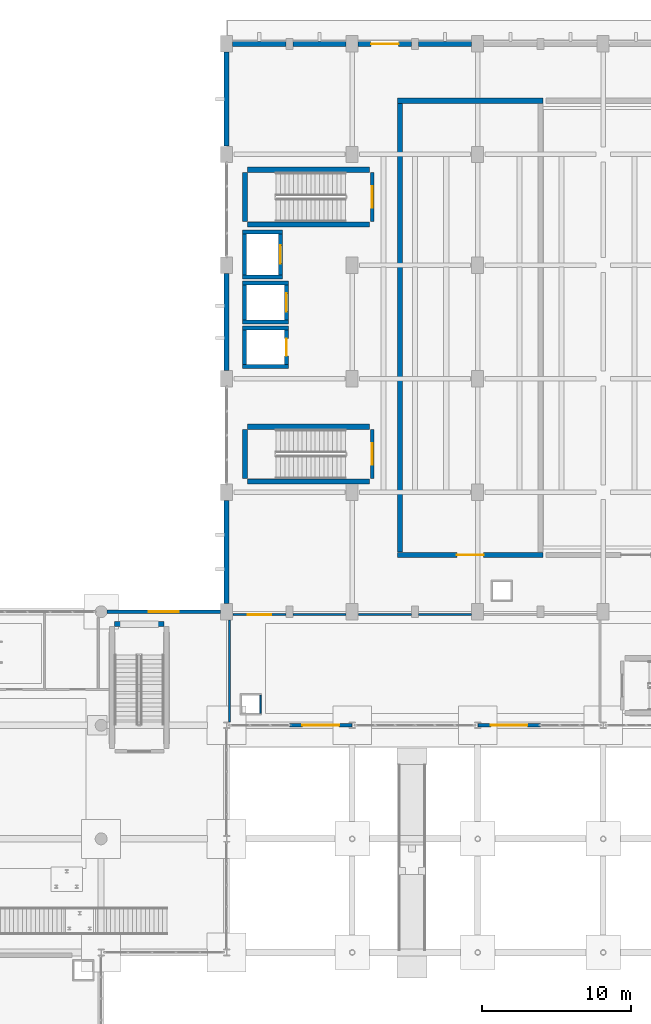
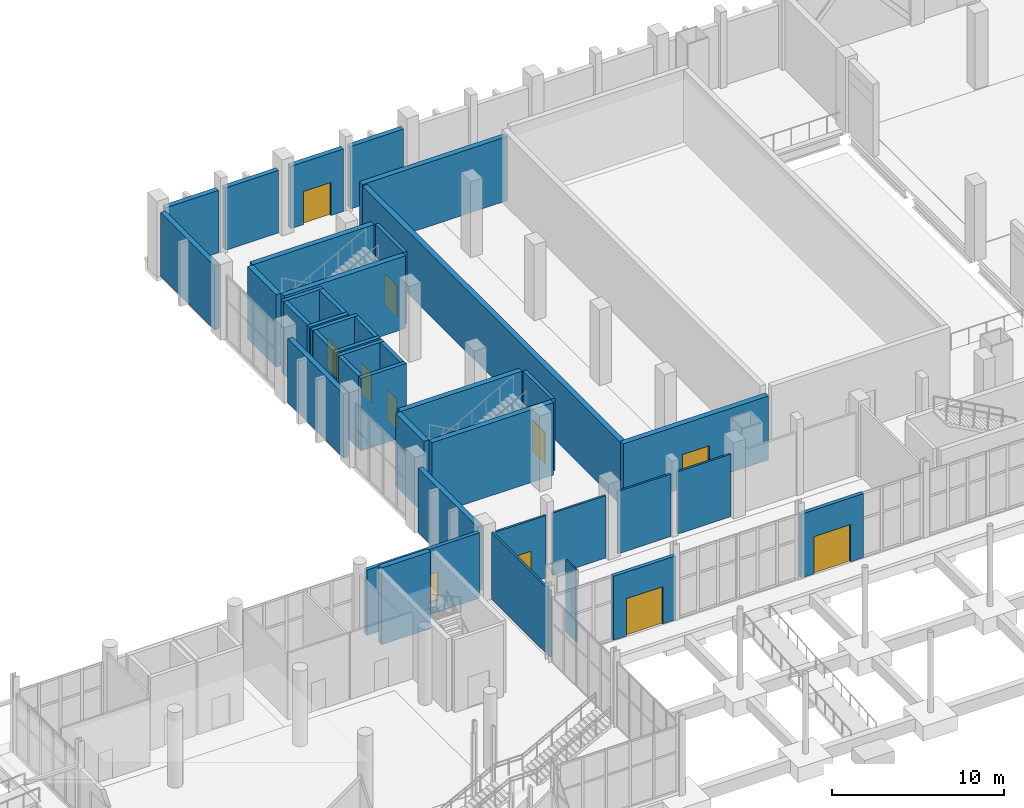
# One storey, part 75 of 95: 40 walls, 10 doors, 1 window, 11 openings.
"""IFC4 building model written with IfcOpenShell, lengths in metres."""

from ifc_helpers import new_model, si_unit, direction, frame, frame_2d, origin, place, context, subcontext, project, spatial, rectangle, extrude, material, layer, layer_set, type_object, element, fill, save


model = new_model("IFC4")

# Units and contexts
model_context = context("Model", 3, precision=1e-05, world=origin(), true_north=direction((0.0, 1.0)))
body_context = subcontext(model_context, "Body", "Model", "MODEL_VIEW")
ifc_project = project(units=[si_unit("LENGTHUNIT", "METRE"), si_unit("AREAUNIT", "SQUARE_METRE"), si_unit("VOLUMEUNIT", "CUBIC_METRE"), si_unit("PLANEANGLEUNIT", "RADIAN"), si_unit("MASSUNIT", "GRAM", prefix="KILO")], contexts=[model_context])

# Site, building, storey
site_placement = place(None, origin())
site = spatial("IfcSite", under=ifc_project, at=site_placement, CompositionType="ELEMENT")
building_placement = place(site_placement, origin())
building = spatial("IfcBuilding", under=site, at=building_placement, Name="Shengluoqiao Park Theatre", CompositionType="ELEMENT")
storey_placement = place(building_placement, origin())
storey = spatial("IfcBuildingStorey", under=building, at=storey_placement, Name="L00", CompositionType="ELEMENT", Elevation=0.0)

# Walls
ifc_material_1 = material(Name="Concrete C45", Category="concrete")
ifc_layer_1 = layer(ifc_material_1, 0.330078125, Name="Concrete C45")
ifc_layer_set_1 = layer_set([ifc_layer_1], Name="Concrete C45")
wall_type_1 = type_object("IfcWallType", Name="ENV-WL-CONC330", PredefinedType="STANDARD", material=ifc_layer_set_1)
wall_1_placement = place(storey_placement, frame((44.803955078125, 114.0, 0.0), z_axis=(0.0, 0.0, 1.0), x_axis=(1.0, 0.0, 0.0)))
element("IfcWall", 1, at=wall_1_placement, inside=storey, type_object=wall_type_1, Name="L00 Exterior Wall 0001", PredefinedType="STANDARD", context=body_context, shape_type="SweptSolid", body=[
    extrude(rectangle(XDim=3.567138671875, YDim=0.330078125, at=frame_2d((1.78369140625, 0.0))), origin(), (0.0, 0.0, 1.0), 4.43798828125),
])
wall_2_placement = place(storey_placement, frame((48.8291015625, 114.0, 0.0), z_axis=(0.0, 0.0, 1.0), x_axis=(1.0, 0.0, 0.0)))
element("IfcWall", 2, at=wall_2_placement, inside=storey, type_object=wall_type_1, Name="L00 Exterior Wall 0002", PredefinedType="STANDARD", context=body_context, shape_type="SweptSolid", body=[
    extrude(rectangle(XDim=3.56689453125, YDim=0.330078125, at=frame_2d((1.783447265625, 0.0))), origin(), (0.0, 0.0, 1.0), 4.43798828125),
])

# Wall, opening, door
wall_3_placement = place(storey_placement, frame((53.2041015625, 114.0, 0.0), z_axis=(0.0, 0.0, 1.0), x_axis=(1.0, 0.0, 0.0)))
wall_3 = element("IfcWall", 3, at=wall_3_placement, inside=storey, type_object=wall_type_1, Name="L00 Exterior Wall 0003", PredefinedType="STANDARD", context=body_context, shape_type="SweptSolid", body=[
    extrude(rectangle(XDim=3.56689453125, YDim=0.330078125, at=frame_2d((1.783447265625, 0.0))), origin(), (0.0, 0.0, 1.0), 4.43798828125),
])
opening_1_placement = place(wall_3_placement, frame((0.8583984375, 0.0, 0.0)))
opening_1 = element("IfcOpeningElement", 4, at=opening_1_placement, cuts=wall_3, Name="Opening ED-AUD-001", PredefinedType="OPENING", context=body_context, shape_type="SweptSolid", body=[
    extrude(rectangle(XDim=1.85009765625, YDim=2.35009765625, at=frame_2d((0.925048828125, 1.175048828125))), frame((0.0, 0.175048828125, 0.0), z_axis=(0.0, -1.0, 0.0), x_axis=(1.0, 0.0, 0.0)), (0.0, 0.0, 1.0), 0.35009765625),
])
ifc_material_2 = material(Name="Aluminium 6063-T6", Category="aluminium")
door_type_1 = type_object("IfcDoorType", Name="ENV-DR-EX185", OperationType="DOUBLE_DOOR_SINGLE_SWING", PredefinedType="DOOR", material=ifc_material_2)
door_1_placement = place(opening_1_placement, origin())
door_1 = element("IfcDoor", 5, at=door_1_placement, inside=storey, type_object=door_type_1, Name="Auditorium North Escape Exit Door ED-AUD-001", OperationType="DOUBLE_DOOR_SINGLE_SWING", OverallHeight=2.35009765625, OverallWidth=1.85009765625, PredefinedType="DOOR", context=body_context, shape_type="SweptSolid", body=[
    extrude(rectangle(XDim=1.85009765625, YDim=2.35009765625, at=frame_2d((0.925048828125, 1.175048828125))), frame((0.0, 0.02490234375, 0.0), z_axis=(0.0, -1.0, 0.0), x_axis=(1.0, 0.0, 0.0)), (0.0, 0.0, 1.0), 0.050048828125),
])
fill(opening_1, door_1)

# Walls
wall_4_placement = place(storey_placement, frame((57.22900390625, 114.0, 0.0), z_axis=(0.0, 0.0, 1.0), x_axis=(1.0, 0.0, 0.0)))
element("IfcWall", 6, at=wall_4_placement, inside=storey, type_object=wall_type_1, Name="L00 Exterior Wall 0004", PredefinedType="STANDARD", context=body_context, shape_type="SweptSolid", body=[
    extrude(rectangle(XDim=3.56689453125, YDim=0.330078125, at=frame_2d((1.783447265625, 0.0))), origin(), (0.0, 0.0, 1.0), 4.43798828125),
])
wall_5_placement = place(storey_placement, frame((44.39990234375, 76.553955078125, 0.0), z_axis=(0.0, 0.0, 1.0), x_axis=(0.0, 1.0, 0.0)))
element("IfcWall", 7, at=wall_5_placement, inside=storey, type_object=wall_type_1, Name="L00 Exterior Wall 0011", PredefinedType="STANDARD", context=body_context, shape_type="SweptSolid", body=[
    extrude(rectangle(XDim=6.89208984375, YDim=0.330078125, at=frame_2d((3.446044921875, 0.0))), origin(), (0.0, 0.0, 1.0), 4.550048828125),
])
wall_6_placement = place(storey_placement, frame((44.39990234375, 92.154052734375, 0.0), z_axis=(0.0, 0.0, 1.0), x_axis=(0.0, 1.0, 0.0)))
element("IfcWall", 8, at=wall_6_placement, inside=storey, type_object=wall_type_1, Name="L00 Exterior Wall 0012", PredefinedType="STANDARD", context=body_context, shape_type="SweptSolid", body=[
    extrude(rectangle(XDim=6.491943359375, YDim=0.330078125, at=frame_2d((3.24609375, 0.0))), origin(), (0.0, 0.0, 1.0), 4.550048828125),
])
wall_7_placement = place(storey_placement, frame((44.39990234375, 107.154052734375, 0.0), z_axis=(0.0, 0.0, 1.0), x_axis=(0.0, 1.0, 0.0)))
element("IfcWall", 9, at=wall_7_placement, inside=storey, type_object=wall_type_1, Name="L00 Exterior Wall 0013", PredefinedType="STANDARD", context=body_context, shape_type="SweptSolid", body=[
    extrude(rectangle(XDim=6.2919921875, YDim=0.330078125, at=frame_2d((3.14599609375, 0.0))), origin(), (0.0, 0.0, 1.0), 4.550048828125),
])

# Wall, opening, window
ifc_material_3 = material(Name="Precast concrete C45", Category="concrete")
ifc_layer_2 = layer(ifc_material_3, 0.25, Name="Precast concrete C45")
ifc_layer_set_2 = layer_set([ifc_layer_2], Name="Precast concrete C45")
wall_type_2 = type_object("IfcWallType", Name="ENV-WL-CRYS250", PredefinedType="STANDARD", material=ifc_layer_set_2)
wall_8_placement = place(storey_placement, frame((36.404052734375, 76.0, 0.0), z_axis=(0.0, 0.0, 1.0), x_axis=(1.0, 0.0, 0.0)))
wall_8 = element("IfcWall", 10, at=wall_8_placement, inside=storey, type_object=wall_type_2, Name="L00 Exterior Wall 0109", PredefinedType="STANDARD", context=body_context, shape_type="SweptSolid", body=[
    extrude(rectangle(XDim=7.592041015625, YDim=0.25, at=frame_2d((3.7958984375, 0.0))), origin(), (0.0, 0.0, 1.0), 4.64990234375),
])
opening_2_placement = place(wall_8_placement, frame((2.7958984375, 0.0, 0.85009765625)))
opening_2 = element("IfcOpeningElement", 11, at=opening_2_placement, cuts=wall_8, Name="Opening W-15", PredefinedType="OPENING", context=body_context, shape_type="SweptSolid", body=[
    extrude(rectangle(XDim=2.0, YDim=2.0, at=frame_2d((1.0, 1.0))), frame((0.0, 0.135009765625, 0.0), z_axis=(0.0, -1.0, 0.0), x_axis=(1.0, 0.0, 0.0)), (0.0, 0.0, 1.0), 0.27001953125),
])
ifc_material_4 = material(Name="Insulated glass", Category="glass")
window_type = type_object("IfcWindowType", Name="ENV-WIN-W15", PartitioningType="DOUBLE_PANEL_VERTICAL", PredefinedType="WINDOW", material=ifc_material_4)
window_placement = place(opening_2_placement, origin())
window = element("IfcWindow", 12, at=window_placement, inside=storey, type_object=window_type, Name="L00 Acoustic Window 0008", OverallHeight=2.0, OverallWidth=2.0, PartitioningType="DOUBLE_PANEL_VERTICAL", PredefinedType="WINDOW", context=body_context, shape_type="SweptSolid", body=[
    extrude(rectangle(XDim=2.0, YDim=2.0, at=frame_2d((1.0, 1.0))), frame((0.0, 0.030029296875, 0.0), z_axis=(0.0, -1.0, 0.0), x_axis=(1.0, 0.0, 0.0)), (0.0, 0.0, 1.0), 0.06005859375),
])
fill(opening_2, window)

# Wall, opening, door
wall_9_placement = place(storey_placement, frame((48.60009765625, 68.39990234375, 0.0), z_axis=(0.0, 0.0, 1.0), x_axis=(1.0, 0.0, 0.0)))
wall_9 = element("IfcWall", 13, at=wall_9_placement, inside=storey, type_object=wall_type_2, Name="L00 Exterior Wall 0110", PredefinedType="STANDARD", context=body_context, shape_type="SweptSolid", body=[
    extrude(rectangle(XDim=4.18798828125, YDim=0.25, at=frame_2d((2.093994140625, 0.0))), origin(), (0.0, 0.0, 1.0), 4.5419921875),
])
opening_3_placement = place(wall_9_placement, frame((0.868896484375, 0.0, 0.0)))
opening_3 = element("IfcOpeningElement", 14, at=opening_3_placement, cuts=wall_9, Name="Opening ED-PROM-009", PredefinedType="OPENING", context=body_context, shape_type="SweptSolid", body=[
    extrude(rectangle(XDim=2.449951171875, YDim=2.64990234375, at=frame_2d((1.22509765625, 1.324951171875))), frame((0.0, 0.135009765625, 0.0), z_axis=(0.0, -1.0, 0.0), x_axis=(1.0, 0.0, 0.0)), (0.0, 0.0, 1.0), 0.27001953125),
])
door_type_2 = type_object("IfcDoorType", Name="ENV-DR-EX245", OperationType="DOUBLE_DOOR_SINGLE_SWING", PredefinedType="DOOR", material=ifc_material_2)
door_2_placement = place(opening_3_placement, origin())
door_2 = element("IfcDoor", 15, at=door_2_placement, inside=storey, type_object=door_type_2, Name="South Park Promenade Entrance Door ED-PROM-009", OperationType="DOUBLE_DOOR_SINGLE_SWING", OverallHeight=2.64990234375, OverallWidth=2.449951171875, PredefinedType="DOOR", context=body_context, shape_type="SweptSolid", body=[
    extrude(rectangle(XDim=2.449951171875, YDim=2.64990234375, at=frame_2d((1.22509765625, 1.324951171875))), frame((0.0, 0.02490234375, 0.0), z_axis=(0.0, -1.0, 0.0), x_axis=(1.0, 0.0, 0.0)), (0.0, 0.0, 1.0), 0.050048828125),
])
fill(opening_3, door_2)

wall_10_placement = place(storey_placement, frame((61.2119140625, 68.39990234375, 0.0), z_axis=(0.0, 0.0, 1.0), x_axis=(1.0, 0.0, 0.0)))
wall_10 = element("IfcWall", 16, at=wall_10_placement, inside=storey, type_object=wall_type_2, Name="L00 Exterior Wall 0111", PredefinedType="STANDARD", context=body_context, shape_type="SweptSolid", body=[
    extrude(rectangle(XDim=4.18798828125, YDim=0.25, at=frame_2d((2.093994140625, 0.0))), origin(), (0.0, 0.0, 1.0), 4.5419921875),
])
opening_4_placement = place(wall_10_placement, frame((0.868896484375, 0.0, 0.0)))
opening_4 = element("IfcOpeningElement", 17, at=opening_4_placement, cuts=wall_10, Name="Opening ED-PROM-010", PredefinedType="OPENING", context=body_context, shape_type="SweptSolid", body=[
    extrude(rectangle(XDim=2.449951171875, YDim=2.64990234375, at=frame_2d((1.22509765625, 1.324951171875))), frame((0.0, 0.135009765625, 0.0), z_axis=(0.0, -1.0, 0.0), x_axis=(1.0, 0.0, 0.0)), (0.0, 0.0, 1.0), 0.27001953125),
])
door_3_placement = place(opening_4_placement, origin())
door_3 = element("IfcDoor", 18, at=door_3_placement, inside=storey, type_object=door_type_2, Name="South Park Promenade Entrance Door ED-PROM-010", OperationType="DOUBLE_DOOR_SINGLE_SWING", OverallHeight=2.64990234375, OverallWidth=2.449951171875, PredefinedType="DOOR", context=body_context, shape_type="SweptSolid", body=[
    extrude(rectangle(XDim=2.449951171875, YDim=2.64990234375, at=frame_2d((1.22509765625, 1.324951171875))), frame((0.0, 0.02490234375, 0.0), z_axis=(0.0, -1.0, 0.0), x_axis=(1.0, 0.0, 0.0)), (0.0, 0.0, 1.0), 0.050048828125),
])
fill(opening_4, door_3)

ifc_material_5 = material(Name="Gypsum acoustic stud", Category="gypsum")
ifc_layer_3 = layer(ifc_material_5, 0.360107421875, Name="Gypsum acoustic stud")
ifc_layer_set_3 = layer_set([ifc_layer_3], Name="Gypsum acoustic stud")
wall_type_3 = type_object("IfcWallType", Name="INT-WL-ACO360", PredefinedType="PARTITIONING", material=ifc_layer_set_3)
wall_11_placement = place(storey_placement, frame((55.820068359375, 79.800048828125, 0.0), z_axis=(0.0, 0.0, 1.0), x_axis=(1.0, 0.0, 0.0)))
wall_11 = element("IfcWall", 19, at=wall_11_placement, inside=storey, type_object=wall_type_3, Name="Main Theatre Rear Stalls Partition S", PredefinedType="PARTITIONING", context=body_context, shape_type="SweptSolid", body=[
    extrude(rectangle(XDim=9.760009765625, YDim=0.360107421875, at=frame_2d((4.8798828125, 0.0))), origin(), (0.0, 0.0, 1.0), 4.550048828125),
])
opening_5_placement = place(wall_11_placement, frame((3.97998046875, 0.0, 0.0)))
opening_5 = element("IfcOpeningElement", 20, at=opening_5_placement, cuts=wall_11, Name="Opening D-L00-019", PredefinedType="OPENING", context=body_context, shape_type="SweptSolid", body=[
    extrude(rectangle(XDim=1.800048828125, YDim=2.39990234375, at=frame_2d((0.89990234375, 1.199951171875))), frame((0.0, 0.18994140625, 0.0), z_axis=(0.0, -1.0, 0.0), x_axis=(1.0, 0.0, 0.0)), (0.0, 0.0, 1.0), 0.380126953125),
])
ifc_material_6 = material(Name="Acoustic timber", Category="wood")
door_type_3 = type_object("IfcDoorType", Name="INT-DR-AUD180", OperationType="DOUBLE_DOOR_SINGLE_SWING", PredefinedType="DOOR", material=ifc_material_6)
door_4_placement = place(opening_5_placement, origin())
door_4 = element("IfcDoor", 21, at=door_4_placement, inside=storey, type_object=door_type_3, Name="Main Theatre Rear Stalls Door D-L00-019", OperationType="DOUBLE_DOOR_SINGLE_SWING", OverallHeight=2.39990234375, OverallWidth=1.800048828125, PredefinedType="DOOR", context=body_context, shape_type="SweptSolid", body=[
    extrude(rectangle(XDim=1.800048828125, YDim=2.39990234375, at=frame_2d((0.89990234375, 1.199951171875))), frame((0.0, 0.02490234375, 0.0), z_axis=(0.0, -1.0, 0.0), x_axis=(1.0, 0.0, 0.0)), (0.0, 0.0, 1.0), 0.050048828125),
])
fill(opening_5, door_4)

# Walls
wall_12_placement = place(storey_placement, frame((55.820068359375, 110.199951171875, 0.0), z_axis=(0.0, 0.0, 1.0), x_axis=(1.0, 0.0, 0.0)))
element("IfcWall", 22, at=wall_12_placement, inside=storey, type_object=wall_type_3, Name="Main Theatre Rear Stalls Partition N", PredefinedType="PARTITIONING", context=body_context, shape_type="SweptSolid", body=[
    extrude(rectangle(XDim=9.760009765625, YDim=0.360107421875, at=frame_2d((4.8798828125, 0.0))), origin(), (0.0, 0.0, 1.0), 4.550048828125),
])
wall_13_placement = place(storey_placement, frame((56.0, 79.986083984375, 0.0), z_axis=(0.0, 0.0, 1.0), x_axis=(0.0, 1.0, 0.0)))
element("IfcWall", 23, at=wall_13_placement, inside=storey, type_object=wall_type_3, Name="Main Theatre Rear Stalls Partition W", PredefinedType="PARTITIONING", context=body_context, shape_type="SweptSolid", body=[
    extrude(rectangle(XDim=30.02783203125, YDim=0.360107421875, at=frame_2d((15.013916015625, 0.0))), origin(), (0.0, 0.0, 1.0), 4.43798828125),
])
ifc_material_7 = material(Name="Gypsum shaftwall", Category="gypsum")
ifc_layer_4 = layer(ifc_material_7, 0.094970703125, Name="Gypsum shaftwall")
ifc_layer_set_4 = layer_set([ifc_layer_4], Name="Gypsum shaftwall")
wall_type_4 = type_object("IfcWallType", Name="INT-WL-RSR095", PredefinedType="PARTITIONING", material=ifc_layer_set_4)
wall_14_placement = place(storey_placement, frame((46.669921875, 69.205078125, 0.0), z_axis=(0.0, 0.0, 1.0), x_axis=(0.0, 1.0, 0.0)))
element("IfcWall", 24, at=wall_14_placement, inside=storey, type_object=wall_type_4, Name="L00 Service Riser Shaftwall 048", PredefinedType="PARTITIONING", context=body_context, shape_type="SweptSolid", body=[
    extrude(rectangle(XDim=1.2099609375, YDim=0.094970703125, at=frame_2d((0.60498046875, 0.0))), origin(), (0.0, 0.0, 1.0), 5.159912109375),
])
ifc_material_8 = material(Name="Concrete C40", Category="concrete")
ifc_layer_5 = layer(ifc_material_8, 0.260009765625, Name="Concrete C40")
ifc_layer_set_5 = layer_set([ifc_layer_5], Name="Concrete C40")
wall_type_5 = type_object("IfcWallType", Name="INT-WL-SHF260", PredefinedType="STANDARD", material=ifc_layer_set_5)
for number, where, z_axis, x_axis, name in (
    (25, (45.469970703125, 92.39990234375, 0.0), (0.0, 0.0, 1.0), (1.0, 0.0, 0.0), "L00 PL3 Lift Shaft Wall South"),
    (26, (45.469970703125, 95.0, 0.0), (0.0, 0.0, 1.0), (1.0, 0.0, 0.0), "L00 PL3 Lift Shaft Wall North"),
):
    element("IfcWall", number, at=place(storey_placement, frame(where, z_axis=z_axis, x_axis=x_axis)), inside=storey, type_object=wall_type_5, Name=name, PredefinedType="STANDARD", context=body_context, shape_type="SweptSolid", body=[
        extrude(rectangle(XDim=3.06005859375, YDim=0.260009765625, at=frame_2d((1.530029296875, 0.0))), origin(), (0.0, 0.0, 1.0), 5.159912109375),
    ])
wall_15_placement = place(storey_placement, frame((45.60009765625, 92.535888671875, 0.0), z_axis=(0.0, 0.0, 1.0), x_axis=(0.0, 1.0, 0.0)))
element("IfcWall", 27, at=wall_15_placement, inside=storey, type_object=wall_type_5, Name="L00 PL3 Lift Shaft Wall West", PredefinedType="STANDARD", context=body_context, shape_type="SweptSolid", body=[
    extrude(rectangle(XDim=2.328125, YDim=0.260009765625, at=frame_2d((1.1640625, 0.0))), origin(), (0.0, 0.0, 1.0), 5.159912109375),
])

# Wall, opening, door
wall_16_placement = place(storey_placement, frame((48.39990234375, 92.535888671875, 0.0), z_axis=(0.0, 0.0, 1.0), x_axis=(0.0, 1.0, 0.0)))
wall_16 = element("IfcWall", 28, at=wall_16_placement, inside=storey, type_object=wall_type_5, Name="L00 PL3 Lift Shaft Wall East", PredefinedType="STANDARD", context=body_context, shape_type="SweptSolid", body=[
    extrude(rectangle(XDim=2.328125, YDim=0.260009765625, at=frame_2d((1.1640625, 0.0))), origin(), (0.0, 0.0, 1.0), 5.159912109375),
])
opening_6_placement = place(wall_16_placement, frame((0.589111328125, 0.0, 0.0)))
opening_6 = element("IfcOpeningElement", 29, at=opening_6_placement, cuts=wall_16, Name="Opening LD-PL3-L00", PredefinedType="OPENING", context=body_context, shape_type="SweptSolid", body=[
    extrude(rectangle(XDim=1.14990234375, YDim=2.14990234375, at=frame_2d((0.574951171875, 1.074951171875))), frame((0.0, 0.139892578125, 0.0), z_axis=(0.0, -1.0, 0.0), x_axis=(1.0, 0.0, 0.0)), (0.0, 0.0, 1.0), 0.280029296875),
])
ifc_material_9 = material(Name="Stainless steel 304", Category="steel")
door_type_4 = type_object("IfcDoorType", Name="INT-DR-LD115", OperationType="SLIDING_TO_LEFT", PredefinedType="DOOR", material=ifc_material_9)
door_5_placement = place(opening_6_placement, origin())
door_5 = element("IfcDoor", 30, at=door_5_placement, inside=storey, type_object=door_type_4, Name="PL3 Lift Landing Door LD-PL3-L00", OperationType="SLIDING_TO_LEFT", OverallHeight=2.14990234375, OverallWidth=1.14990234375, PredefinedType="DOOR", context=body_context, shape_type="SweptSolid", body=[
    extrude(rectangle(XDim=1.14990234375, YDim=2.14990234375, at=frame_2d((0.574951171875, 1.074951171875))), frame((0.0, 0.02490234375, 0.0), z_axis=(0.0, -1.0, 0.0), x_axis=(1.0, 0.0, 0.0)), (0.0, 0.0, 1.0), 0.050048828125),
])
fill(opening_6, door_5)

# Walls
for number, where, z_axis, x_axis, name in (
    (31, (45.469970703125, 95.39990234375, 0.0), (0.0, 0.0, 1.0), (1.0, 0.0, 0.0), "L00 PL4 Lift Shaft Wall South"),
    (32, (45.469970703125, 98.0, 0.0), (0.0, 0.0, 1.0), (1.0, 0.0, 0.0), "L00 PL4 Lift Shaft Wall North"),
):
    element("IfcWall", number, at=place(storey_placement, frame(where, z_axis=z_axis, x_axis=x_axis)), inside=storey, type_object=wall_type_5, Name=name, PredefinedType="STANDARD", context=body_context, shape_type="SweptSolid", body=[
        extrude(rectangle(XDim=3.06005859375, YDim=0.260009765625, at=frame_2d((1.530029296875, 0.0))), origin(), (0.0, 0.0, 1.0), 5.159912109375),
    ])
wall_17_placement = place(storey_placement, frame((45.60009765625, 95.535888671875, 0.0), z_axis=(0.0, 0.0, 1.0), x_axis=(0.0, 1.0, 0.0)))
element("IfcWall", 33, at=wall_17_placement, inside=storey, type_object=wall_type_5, Name="L00 PL4 Lift Shaft Wall West", PredefinedType="STANDARD", context=body_context, shape_type="SweptSolid", body=[
    extrude(rectangle(XDim=2.328125, YDim=0.260009765625, at=frame_2d((1.1640625, 0.0))), origin(), (0.0, 0.0, 1.0), 5.159912109375),
])

# Wall, opening, door
wall_18_placement = place(storey_placement, frame((48.39990234375, 95.535888671875, 0.0), z_axis=(0.0, 0.0, 1.0), x_axis=(0.0, 1.0, 0.0)))
wall_18 = element("IfcWall", 34, at=wall_18_placement, inside=storey, type_object=wall_type_5, Name="L00 PL4 Lift Shaft Wall East", PredefinedType="STANDARD", context=body_context, shape_type="SweptSolid", body=[
    extrude(rectangle(XDim=2.328125, YDim=0.260009765625, at=frame_2d((1.1640625, 0.0))), origin(), (0.0, 0.0, 1.0), 5.159912109375),
])
opening_7_placement = place(wall_18_placement, frame((0.553955078125, 0.0, 0.0)))
opening_7 = element("IfcOpeningElement", 35, at=opening_7_placement, cuts=wall_18, Name="Opening LD-PL4-L00", PredefinedType="OPENING", context=body_context, shape_type="SweptSolid", body=[
    extrude(rectangle(XDim=1.219970703125, YDim=2.199951171875, at=frame_2d((0.60986328125, 1.10009765625))), frame((0.0, 0.139892578125, 0.0), z_axis=(0.0, -1.0, 0.0), x_axis=(1.0, 0.0, 0.0)), (0.0, 0.0, 1.0), 0.280029296875),
])
door_type_5 = type_object("IfcDoorType", Name="INT-DR-LD122", OperationType="SLIDING_TO_RIGHT", PredefinedType="DOOR", material=ifc_material_9)
door_6_placement = place(opening_7_placement, origin())
door_6 = element("IfcDoor", 36, at=door_6_placement, inside=storey, type_object=door_type_5, Name="PL4 Lift Landing Door LD-PL4-L00", OperationType="SLIDING_TO_RIGHT", OverallHeight=2.199951171875, OverallWidth=1.219970703125, PredefinedType="DOOR", context=body_context, shape_type="SweptSolid", body=[
    extrude(rectangle(XDim=1.219970703125, YDim=2.199951171875, at=frame_2d((0.60986328125, 1.10009765625))), frame((0.0, 0.02490234375, 0.0), z_axis=(0.0, -1.0, 0.0), x_axis=(1.0, 0.0, 0.0)), (0.0, 0.0, 1.0), 0.050048828125),
])
fill(opening_7, door_6)

# Walls
for number, where, z_axis, x_axis, name in (
    (37, (45.469970703125, 98.39990234375, 0.0), (0.0, 0.0, 1.0), (1.0, 0.0, 0.0), "L00 AL1 Lift Shaft Wall South"),
    (38, (45.469970703125, 101.39990234375, 0.0), (0.0, 0.0, 1.0), (1.0, 0.0, 0.0), "L00 AL1 Lift Shaft Wall North"),
):
    element("IfcWall", number, at=place(storey_placement, frame(where, z_axis=z_axis, x_axis=x_axis)), inside=storey, type_object=wall_type_5, Name=name, PredefinedType="STANDARD", context=body_context, shape_type="SweptSolid", body=[
        extrude(rectangle(XDim=2.659912109375, YDim=0.260009765625, at=frame_2d((1.330078125, 0.0))), origin(), (0.0, 0.0, 1.0), 5.159912109375),
    ])
wall_19_placement = place(storey_placement, frame((45.60009765625, 98.535888671875, 0.0), z_axis=(0.0, 0.0, 1.0), x_axis=(0.0, 1.0, 0.0)))
element("IfcWall", 39, at=wall_19_placement, inside=storey, type_object=wall_type_5, Name="L00 AL1 Lift Shaft Wall West", PredefinedType="STANDARD", context=body_context, shape_type="SweptSolid", body=[
    extrude(rectangle(XDim=2.72802734375, YDim=0.260009765625, at=frame_2d((1.364013671875, 0.0))), origin(), (0.0, 0.0, 1.0), 5.159912109375),
])

# Wall, opening, door
wall_20_placement = place(storey_placement, frame((48.0, 98.535888671875, 0.0), z_axis=(0.0, 0.0, 1.0), x_axis=(0.0, 1.0, 0.0)))
wall_20 = element("IfcWall", 40, at=wall_20_placement, inside=storey, type_object=wall_type_5, Name="L00 AL1 Lift Shaft Wall East", PredefinedType="STANDARD", context=body_context, shape_type="SweptSolid", body=[
    extrude(rectangle(XDim=2.72802734375, YDim=0.260009765625, at=frame_2d((1.364013671875, 0.0))), origin(), (0.0, 0.0, 1.0), 5.159912109375),
])
opening_8_placement = place(wall_20_placement, frame((0.75390625, 0.0, 0.0)))
opening_8 = element("IfcOpeningElement", 41, at=opening_8_placement, cuts=wall_20, Name="Opening LD-AL1-L00", PredefinedType="OPENING", context=body_context, shape_type="SweptSolid", body=[
    extrude(rectangle(XDim=1.219970703125, YDim=2.199951171875, at=frame_2d((0.60986328125, 1.10009765625))), frame((0.0, 0.139892578125, 0.0), z_axis=(0.0, -1.0, 0.0), x_axis=(1.0, 0.0, 0.0)), (0.0, 0.0, 1.0), 0.280029296875),
])
door_7_placement = place(opening_8_placement, origin())
door_7 = element("IfcDoor", 42, at=door_7_placement, inside=storey, type_object=door_type_5, Name="AL1 Lift Landing Door LD-AL1-L00", OperationType="SLIDING_TO_LEFT", OverallHeight=2.199951171875, OverallWidth=1.219970703125, PredefinedType="DOOR", context=body_context, shape_type="SweptSolid", body=[
    extrude(rectangle(XDim=1.219970703125, YDim=2.199951171875, at=frame_2d((0.60986328125, 1.10009765625))), frame((0.0, 0.02490234375, 0.0), z_axis=(0.0, -1.0, 0.0), x_axis=(1.0, 0.0, 0.0)), (0.0, 0.0, 1.0), 0.050048828125),
])
fill(opening_8, door_7)

ifc_material_10 = material(Name="Gypsum board", Category="gypsum")
ifc_layer_6 = layer(ifc_material_10, 0.135009765625, Name="Gypsum board")
ifc_layer_set_6 = layer_set([ifc_layer_6], Name="Gypsum board")
wall_type_6 = type_object("IfcWallType", Name="INT-WL-STD135", PredefinedType="PARTITIONING", material=ifc_layer_set_6)
wall_21_placement = place(storey_placement, frame((44.80810546875, 75.800048828125, 0.0), z_axis=(0.0, 0.0, 1.0), x_axis=(1.0, 0.0, 0.0)))
wall_21 = element("IfcWall", 43, at=wall_21_placement, inside=storey, type_object=wall_type_6, Name="Theatre Cafe Partition N", PredefinedType="PARTITIONING", context=body_context, shape_type="SweptSolid", body=[
    extrude(rectangle(XDim=3.560791015625, YDim=0.135009765625, at=frame_2d((1.7802734375, 0.0))), origin(), (0.0, 0.0, 1.0), 4.43798828125),
])
opening_9_placement = place(wall_21_placement, frame((1.00048828125, 0.0, 0.0)))
opening_9 = element("IfcOpeningElement", 44, at=opening_9_placement, cuts=wall_21, Name="Opening D-L00-027", PredefinedType="OPENING", context=body_context, shape_type="SweptSolid", body=[
    extrude(rectangle(XDim=1.56005859375, YDim=2.239990234375, at=frame_2d((0.780029296875, 1.1201171875))), frame((0.0, 0.077392578125, 0.0), z_axis=(0.0, -1.0, 0.0), x_axis=(1.0, 0.0, 0.0)), (0.0, 0.0, 1.0), 0.155029296875),
])
door_type_6 = type_object("IfcDoorType", Name="INT-DR-DIN156", OperationType="DOUBLE_DOOR_SINGLE_SWING", PredefinedType="DOOR", material=ifc_material_2)
door_8_placement = place(opening_9_placement, origin())
door_8 = element("IfcDoor", 45, at=door_8_placement, inside=storey, type_object=door_type_6, Name="Theatre Cafe Door D-L00-027", OperationType="DOUBLE_DOOR_SINGLE_SWING", OverallHeight=2.239990234375, OverallWidth=1.56005859375, PredefinedType="DOOR", context=body_context, shape_type="SweptSolid", body=[
    extrude(rectangle(XDim=1.56005859375, YDim=2.239990234375, at=frame_2d((0.780029296875, 1.1201171875))), frame((0.0, 0.02490234375, 0.0), z_axis=(0.0, -1.0, 0.0), x_axis=(1.0, 0.0, 0.0)), (0.0, 0.0, 1.0), 0.050048828125),
])
fill(opening_9, door_8)

# Walls
for number, where, z_axis, x_axis, name in (
    (46, (48.8310546875, 75.800048828125, 0.0), (0.0, 0.0, 1.0), (1.0, 0.0, 0.0), "Theatre Cafe Partition N"),
    (47, (53.2060546875, 75.800048828125, 0.0), (0.0, 0.0, 1.0), (1.0, 0.0, 0.0), "Theatre Cafe Partition N"),
    (48, (57.23095703125, 75.800048828125, 0.0), (0.0, 0.0, 1.0), (1.0, 0.0, 0.0), "Theatre Cafe Partition N"),
):
    element("IfcWall", number, at=place(storey_placement, frame(where, z_axis=z_axis, x_axis=x_axis)), inside=storey, type_object=wall_type_6, Name=name, PredefinedType="PARTITIONING", context=body_context, shape_type="SweptSolid", body=[
        extrude(rectangle(XDim=3.56298828125, YDim=0.135009765625, at=frame_2d((1.781494140625, 0.0))), origin(), (0.0, 0.0, 1.0), 4.43798828125),
    ])
wall_22_placement = place(storey_placement, frame((44.60009765625, 68.614990234375, 0.0), z_axis=(0.0, 0.0, 1.0), x_axis=(0.0, 1.0, 0.0)))
element("IfcWall", 49, at=wall_22_placement, inside=storey, type_object=wall_type_6, Name="Theatre Cafe Partition W", PredefinedType="PARTITIONING", context=body_context, shape_type="SweptSolid", body=[
    extrude(rectangle(XDim=6.8291015625, YDim=0.135009765625, at=frame_2d((3.41455078125, 0.0))), origin(), (0.0, 0.0, 1.0), 4.748046875),
])

# Wall, opening, door
ifc_layer_7 = layer(ifc_material_8, 0.239990234375, Name="Concrete C40")
ifc_layer_set_7 = layer_set([ifc_layer_7], Name="Concrete C40")
wall_type_7 = type_object("IfcWallType", Name="INT-WL-STW240", PredefinedType="STANDARD", material=ifc_layer_set_7)
wall_23_placement = place(storey_placement, frame((54.139892578125, 88.18994140625, 0.0), z_axis=(0.0, 0.0, 1.0), x_axis=(0.0, -1.0, 0.0)))
wall_23 = element("IfcWall", 50, at=wall_23_placement, inside=storey, type_object=wall_type_7, Name="L00 ST-02 Stairwell Fire Wall", PredefinedType="STANDARD", context=body_context, shape_type="SweptSolid", body=[
    extrude(rectangle(XDim=3.280029296875, YDim=0.239990234375, at=frame_2d((1.64013671875, 0.0))), origin(), (0.0, 0.0, 1.0), 5.159912109375),
])
opening_10_placement = place(wall_23_placement, frame((0.9150390625, 0.0, 0.0)))
opening_10 = element("IfcOpeningElement", 51, at=opening_10_placement, cuts=wall_23, Name="Opening SD-02-L00", PredefinedType="OPENING", context=body_context, shape_type="SweptSolid", body=[
    extrude(rectangle(XDim=1.449951171875, YDim=2.199951171875, at=frame_2d((0.72509765625, 1.10009765625))), frame((0.0, 0.1298828125, 0.0), z_axis=(0.0, -1.0, 0.0), x_axis=(1.0, 0.0, 0.0)), (0.0, 0.0, 1.0), 0.260009765625),
])
ifc_material_11 = material(Name="Steel Q355", Category="steel")
door_type_7 = type_object("IfcDoorType", Name="INT-DR-STW145", OperationType="DOUBLE_DOOR_SINGLE_SWING", PredefinedType="DOOR", material=ifc_material_11)
door_9_placement = place(opening_10_placement, origin())
door_9 = element("IfcDoor", 52, at=door_9_placement, inside=storey, type_object=door_type_7, Name="L00 ST-02 Escape Stair Door SD-02-L00", OperationType="DOUBLE_DOOR_SINGLE_SWING", OverallHeight=2.199951171875, OverallWidth=1.449951171875, PredefinedType="DOOR", context=body_context, shape_type="SweptSolid", body=[
    extrude(rectangle(XDim=1.449951171875, YDim=2.199951171875, at=frame_2d((0.72509765625, 1.10009765625))), frame((0.0, 0.02490234375, 0.0), z_axis=(0.0, -1.0, 0.0), x_axis=(1.0, 0.0, 0.0)), (0.0, 0.0, 1.0), 0.050048828125),
])
fill(opening_10, door_9)

wall_24_placement = place(storey_placement, frame((54.139892578125, 105.389892578125, 0.0), z_axis=(0.0, 0.0, 1.0), x_axis=(0.0, -1.0, 0.0)))
wall_24 = element("IfcWall", 53, at=wall_24_placement, inside=storey, type_object=wall_type_7, Name="L00 ST-03 Stairwell Fire Wall", PredefinedType="STANDARD", context=body_context, shape_type="SweptSolid", body=[
    extrude(rectangle(XDim=3.27978515625, YDim=0.239990234375, at=frame_2d((1.639892578125, 0.0))), origin(), (0.0, 0.0, 1.0), 5.159912109375),
])
opening_11_placement = place(wall_24_placement, frame((0.9150390625, 0.0, 0.0)))
opening_11 = element("IfcOpeningElement", 54, at=opening_11_placement, cuts=wall_24, Name="Opening SD-03-L00", PredefinedType="OPENING", context=body_context, shape_type="SweptSolid", body=[
    extrude(rectangle(XDim=1.449951171875, YDim=2.199951171875, at=frame_2d((0.72509765625, 1.10009765625))), frame((0.0, 0.1298828125, 0.0), z_axis=(0.0, -1.0, 0.0), x_axis=(1.0, 0.0, 0.0)), (0.0, 0.0, 1.0), 0.260009765625),
])
door_10_placement = place(opening_11_placement, origin())
door_10 = element("IfcDoor", 55, at=door_10_placement, inside=storey, type_object=door_type_7, Name="L00 ST-03 Escape Stair Door SD-03-L00", OperationType="DOUBLE_DOOR_SINGLE_SWING", OverallHeight=2.199951171875, OverallWidth=1.449951171875, PredefinedType="DOOR", context=body_context, shape_type="SweptSolid", body=[
    extrude(rectangle(XDim=1.449951171875, YDim=2.199951171875, at=frame_2d((0.72509765625, 1.10009765625))), frame((0.0, 0.02490234375, 0.0), z_axis=(0.0, -1.0, 0.0), x_axis=(1.0, 0.0, 0.0)), (0.0, 0.0, 1.0), 0.050048828125),
])
fill(opening_11, door_10)

# Walls
ifc_material_12 = material(Name="Concrete C50", Category="concrete")
ifc_layer_8 = layer(ifc_material_12, 0.35009765625, Name="Concrete C50")
ifc_layer_set_8 = layer_set([ifc_layer_8], Name="Concrete C50")
wall_type_8 = type_object("IfcWallType", Name="STR-SW-CORE350", PredefinedType="SHEAR", material=ifc_layer_set_8)
wall_25_placement = place(storey_placement, frame((40.199951171875, 75.179931640625, -0.300048828125), z_axis=(0.0, 0.0, 1.0), x_axis=(-1.0, 0.0, 0.0)))
element("IfcWall", 56, at=wall_25_placement, inside=storey, type_object=wall_type_8, Name="L00 ST-01 Core Far Shear Wall 0026", PredefinedType="SHEAR", context=body_context, shape_type="SweptSolid", body=[
    extrude(rectangle(XDim=3.300048828125, YDim=0.35009765625, at=frame_2d((1.64990234375, 0.0))), origin(), (0.0, 0.0, 1.0), 5.4599609375),
])
wall_26_placement = place(storey_placement, frame((53.949951171875, 88.3798828125, 0.0), z_axis=(0.0, 0.0, 1.0), x_axis=(-1.0, 0.0, 0.0)))
element("IfcWall", 57, at=wall_26_placement, inside=storey, type_object=wall_type_8, Name="L00 ST-02 Core Left Shear Wall 0040", PredefinedType="SHEAR", context=body_context, shape_type="SweptSolid", body=[
    extrude(rectangle(XDim=8.14990234375, YDim=0.35009765625, at=frame_2d((4.074951171875, 0.0))), origin(), (0.0, 0.0, 1.0), 5.159912109375),
])
wall_27_placement = place(storey_placement, frame((45.6201171875, 88.199951171875, 0.0), z_axis=(0.0, 0.0, 1.0), x_axis=(0.0, -1.0, 0.0)))
element("IfcWall", 58, at=wall_27_placement, inside=storey, type_object=wall_type_8, Name="L00 ST-02 Core Far Shear Wall 0041", PredefinedType="SHEAR", context=body_context, shape_type="SweptSolid", body=[
    extrude(rectangle(XDim=3.300048828125, YDim=0.35009765625, at=frame_2d((1.64990234375, 0.0))), origin(), (0.0, 0.0, 1.0), 5.159912109375),
])
for number, where, z_axis, x_axis, name in (
    (59, (45.800048828125, 84.719970703125, 0.0), (0.0, 0.0, 1.0), (1.0, 0.0, 0.0), "L00 ST-02 Core Right Shear Wall 0042"),
    (60, (53.949951171875, 105.580078125, 0.0), (0.0, 0.0, 1.0), (-1.0, 0.0, 0.0), "L00 ST-03 Core Left Shear Wall 0058"),
):
    element("IfcWall", number, at=place(storey_placement, frame(where, z_axis=z_axis, x_axis=x_axis)), inside=storey, type_object=wall_type_8, Name=name, PredefinedType="SHEAR", context=body_context, shape_type="SweptSolid", body=[
        extrude(rectangle(XDim=8.14990234375, YDim=0.35009765625, at=frame_2d((4.074951171875, 0.0))), origin(), (0.0, 0.0, 1.0), 5.159912109375),
    ])
wall_28_placement = place(storey_placement, frame((45.6201171875, 105.39990234375, 0.0), z_axis=(0.0, 0.0, 1.0), x_axis=(0.0, -1.0, 0.0)))
element("IfcWall", 61, at=wall_28_placement, inside=storey, type_object=wall_type_8, Name="L00 ST-03 Core Far Shear Wall 0059", PredefinedType="SHEAR", context=body_context, shape_type="SweptSolid", body=[
    extrude(rectangle(XDim=3.2998046875, YDim=0.35009765625, at=frame_2d((1.64990234375, 0.0))), origin(), (0.0, 0.0, 1.0), 5.159912109375),
])
wall_29_placement = place(storey_placement, frame((45.800048828125, 101.919921875, 0.0), z_axis=(0.0, 0.0, 1.0), x_axis=(1.0, 0.0, 0.0)))
element("IfcWall", 62, at=wall_29_placement, inside=storey, type_object=wall_type_8, Name="L00 ST-03 Core Right Shear Wall 0060", PredefinedType="SHEAR", context=body_context, shape_type="SweptSolid", body=[
    extrude(rectangle(XDim=8.14990234375, YDim=0.35009765625, at=frame_2d((4.074951171875, 0.0))), origin(), (0.0, 0.0, 1.0), 5.159912109375),
])

save(model, "model.ifc")
